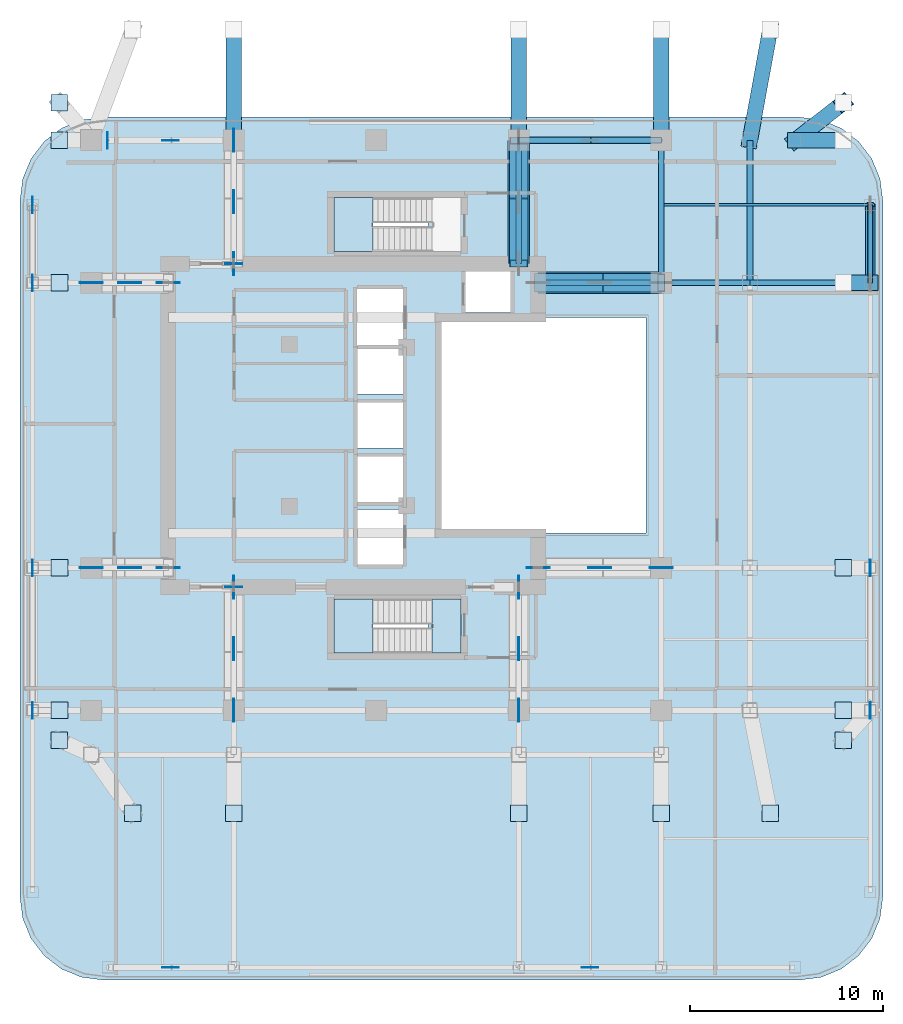
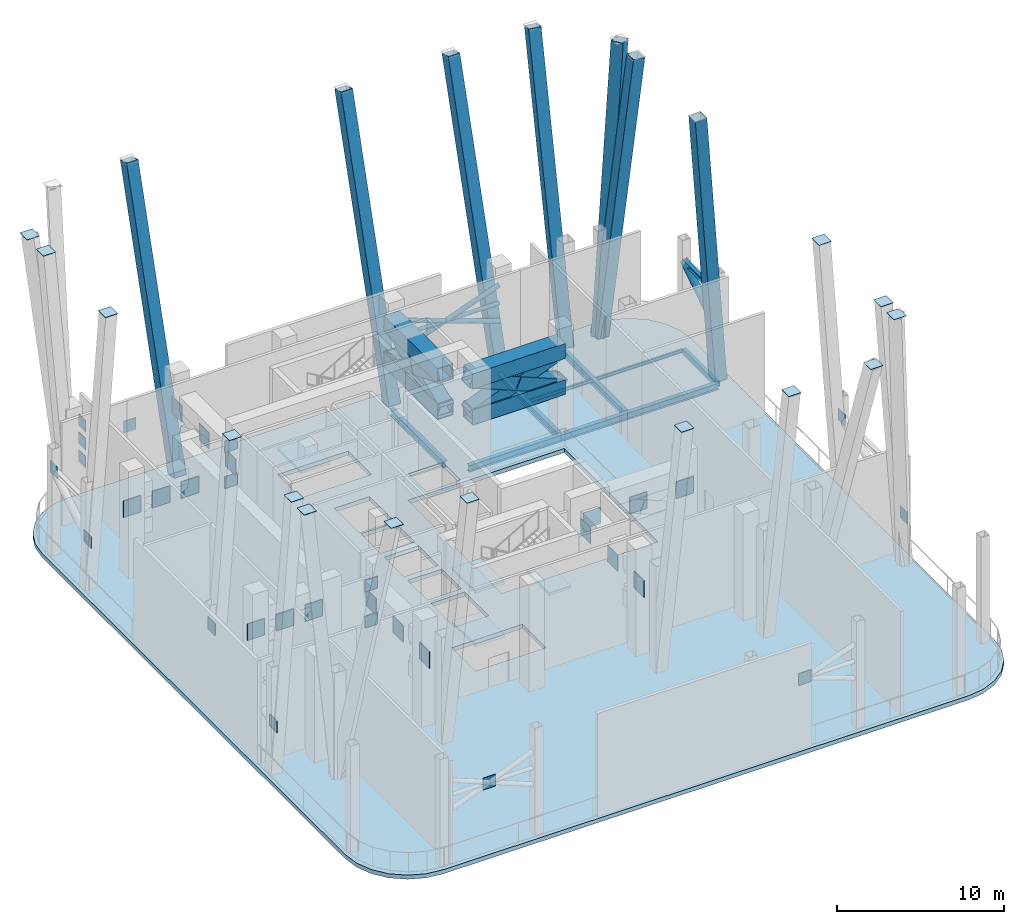
# One storey, part 3 of 9: 48 plates, 23 members, 8 beams, 5 slabs, 2 elements without a shape of their own.
"""IFC4 building model written with IfcOpenShell, lengths in metres."""

from ifc_helpers import new_model, si_unit, direction, frame, origin, origin_2d, place, context, subcontext, project, spatial, polyline, rectangle, hollow_rectangle, hollow_circle, i_section, outline, extrude, material, layer, layer_set, material_profile, profile_set, type_object, element, aggregate, save


model = new_model("IFC4")

# Units and contexts
model_context = context("Model", 3, precision=1e-05, world=origin(), true_north=direction((0.0, 1.0)))
body_context = subcontext(model_context, "Body", "Model", "MODEL_VIEW")
ifc_project = project(units=[si_unit("LENGTHUNIT", "METRE"), si_unit("AREAUNIT", "SQUARE_METRE"), si_unit("VOLUMEUNIT", "CUBIC_METRE"), si_unit("PLANEANGLEUNIT", "RADIAN"), si_unit("MASSUNIT", "GRAM", prefix="KILO")], contexts=[model_context])

# Site, building, storey
site_placement = place(None, origin())
site = spatial("IfcSite", under=ifc_project, at=site_placement, CompositionType="ELEMENT")
building_placement = place(site_placement, origin())
building = spatial("IfcBuilding", under=site, at=building_placement, Name="Khorvyn Point Tower", CompositionType="ELEMENT")
storey_placement = place(building_placement, frame((0.0, 0.0, 235.199951171875)))
storey = spatial("IfcBuildingStorey", under=building, at=storey_placement, Name="L58", CompositionType="ELEMENT", Elevation=235.199951171875)

# Beams
ifc_material_1 = material(Name="Steel S355", Category="steel")
ifc_material_profile_1 = material_profile(ifc_material_1, i_section(OverallWidth=0.125, OverallDepth=0.25, WebThickness=0.006103515625, FlangeThickness=0.009033203125, at=origin_2d()))
ifc_profile_set_1 = profile_set([ifc_material_profile_1], Name="Steel S355 H250x125x6x9")
beam_type_1 = type_object("IfcBeamType", Name="Steel S355 Joist H250x125x6x9", PredefinedType="JOIST", material=ifc_profile_set_1)
beam_1_placement = place(storey_placement, frame((14.949951171875, 11.449951171875, -0.425048828125), z_axis=(1.0, 0.0, 0.0), x_axis=(0.0, 1.0, 0.0)))
element("IfcBeam", 1, at=beam_1_placement, inside=storey, type_object=beam_type_1, Name="Beam", PredefinedType="JOIST", context=body_context, shape_type="SweptSolid", body=[
    extrude(i_section(OverallWidth=0.125, OverallDepth=0.25, WebThickness=0.006103515625, FlangeThickness=0.009033203125, at=origin_2d()), origin(), (0.0, 0.0, 1.0), 10.574951171875),
])
ifc_material_profile_2 = material_profile(ifc_material_1, i_section(OverallWidth=0.300048828125, OverallDepth=0.488037109375, WebThickness=0.010986328125, FlangeThickness=0.01806640625, at=origin_2d()))
ifc_profile_set_2 = profile_set([ifc_material_profile_2], Name="Steel S355 H488x300x11x18")
beam_type_2 = type_object("IfcBeamType", Name="Steel S355 Spandrel H488x300x11x18", PredefinedType="SPANDREL", material=ifc_profile_set_2)
beam_2_placement = place(storey_placement, frame((8.39990234375, 7.39990234375, -0.5439453125), z_axis=(1.0, 0.0, 0.0), x_axis=(0.0, 1.0, 0.0)))
element("IfcBeam", 2, at=beam_2_placement, inside=storey, type_object=beam_type_2, Name="Beam", PredefinedType="SPANDREL", context=body_context, shape_type="SweptSolid", body=[
    extrude(i_section(OverallWidth=0.300048828125, OverallDepth=0.488037109375, WebThickness=0.010986328125, FlangeThickness=0.01806640625, at=origin_2d()), origin(), (0.0, 0.0, 1.0), 6.400146484375),
])
beam_3_placement = place(storey_placement, frame((14.800048828125, 7.39990234375, -0.5439453125), z_axis=(1.0, 0.0, 0.0), x_axis=(0.0, 1.0, 0.0)))
element("IfcBeam", 3, at=beam_3_placement, inside=storey, type_object=beam_type_2, Name="Beam", PredefinedType="SPANDREL", context=body_context, shape_type="SweptSolid", body=[
    extrude(i_section(OverallWidth=0.300048828125, OverallDepth=0.488037109375, WebThickness=0.010986328125, FlangeThickness=0.01806640625, at=origin_2d()), origin(), (0.0, 0.0, 1.0), 4.599853515625),
])
beam_4_placement = place(storey_placement, frame((19.39990234375, 7.39990234375, -0.5439453125), z_axis=(1.0, 0.0, 0.0), x_axis=(0.0, 1.0, 0.0)))
element("IfcBeam", 4, at=beam_4_placement, inside=storey, type_object=beam_type_2, Name="Beam", PredefinedType="SPANDREL", context=body_context, shape_type="SweptSolid", body=[
    extrude(i_section(OverallWidth=0.300048828125, OverallDepth=0.488037109375, WebThickness=0.010986328125, FlangeThickness=0.01806640625, at=origin_2d()), origin(), (0.0, 0.0, 1.0), 6.25),
])
beam_5_placement = place(storey_placement, frame((14.800048828125, 7.39990234375, -0.5439453125), z_axis=(0.0, 1.0, 0.0), x_axis=(-1.0, 0.0, 0.0)))
element("IfcBeam", 5, at=beam_5_placement, inside=storey, type_object=beam_type_2, Name="Beam", PredefinedType="SPANDREL", context=body_context, shape_type="SweptSolid", body=[
    extrude(i_section(OverallWidth=0.300048828125, OverallDepth=0.488037109375, WebThickness=0.010986328125, FlangeThickness=0.01806640625, at=origin_2d()), origin(), (0.0, 0.0, 1.0), 7.400146484375),
])
beam_6_placement = place(storey_placement, frame((7.39990234375, 8.39990234375, -0.5439453125), z_axis=(0.0, 1.0, 0.0), x_axis=(-1.0, 0.0, 0.0)))
element("IfcBeam", 6, at=beam_6_placement, inside=storey, type_object=beam_type_2, Name="Beam", PredefinedType="SPANDREL", context=body_context, shape_type="SweptSolid", body=[
    extrude(i_section(OverallWidth=0.300048828125, OverallDepth=0.488037109375, WebThickness=0.010986328125, FlangeThickness=0.01806640625, at=origin_2d()), origin(), (0.0, 0.0, 1.0), 6.400146484375),
])
beam_7_placement = place(storey_placement, frame((19.39990234375, 7.39990234375, -0.5439453125), z_axis=(0.0, 1.0, 0.0), x_axis=(-1.0, 0.0, 0.0)))
element("IfcBeam", 7, at=beam_7_placement, inside=storey, type_object=beam_type_2, Name="Beam", PredefinedType="SPANDREL", context=body_context, shape_type="SweptSolid", body=[
    extrude(i_section(OverallWidth=0.300048828125, OverallDepth=0.488037109375, WebThickness=0.010986328125, FlangeThickness=0.01806640625, at=origin_2d()), origin(), (0.0, 0.0, 1.0), 7.400146484375),
])
ifc_material_profile_3 = material_profile(ifc_material_1, hollow_rectangle(XDim=0.25, YDim=0.39990234375, WallThickness=0.01611328125, at=origin_2d()))
ifc_profile_set_3 = profile_set([ifc_material_profile_3], Name="Steel S355 RHS400x250x16")
beam_type_3 = type_object("IfcBeamType", Name="Steel S355 Spandrel RHS400x250x16", PredefinedType="SPANDREL", material=ifc_profile_set_3)
beam_8_placement = place(storey_placement, frame((25.64990234375, 7.39990234375, -0.5), z_axis=(0.0, 1.0, 0.0), x_axis=(-1.0, 0.0, 0.0)))
element("IfcBeam", 8, at=beam_8_placement, inside=storey, type_object=beam_type_3, Name="Beam", PredefinedType="SPANDREL", context=body_context, shape_type="SweptSolid", body=[
    extrude(hollow_rectangle(XDim=0.25, YDim=0.39990234375, WallThickness=0.01611328125, at=origin_2d()), origin(), (0.0, 0.0, 1.0), 4.050048828125),
])

# Members
ifc_material_profile_4 = material_profile(ifc_material_1, hollow_circle(Radius=0.161865234375, WallThickness=0.012451171875, at=origin_2d()))
ifc_profile_set_4 = profile_set([ifc_material_profile_4], Name="Steel S355 CHS323.9x12.5")
member_type_1 = type_object("IfcMemberType", Name="Steel S355 Truss Brace CHS323.9x12.5", PredefinedType="BRACE", material=ifc_profile_set_4)
member_1_placement = place(storey_placement, frame((7.39990234375, 14.800048828125, 3.449951171875), z_axis=(0.942256331258, 0.0, 0.334892529334), x_axis=(0.0, 1.0, 0.0)))
element("IfcMember", 9, at=member_1_placement, inside=storey, type_object=member_type_1, Name="BT-BR1-L58-N2", PredefinedType="BRACE", context=body_context, shape_type="SweptSolid", body=[
    extrude(hollow_circle(Radius=0.161865234375, WallThickness=0.012451171875, at=origin_2d()), origin(), (0.0, 0.0, 1.0), 7.853759765625),
])
member_2_placement = place(storey_placement, frame((7.39990234375, 14.800048828125, 6.080078125), z_axis=(0.94250336403, 0.0, -0.334196661851), x_axis=(0.0, 1.0, 0.0)))
element("IfcMember", 10, at=member_2_placement, inside=storey, type_object=member_type_1, Name="BT-BR2A-L58-N2", PredefinedType="BRACE", context=body_context, shape_type="SweptSolid", body=[
    extrude(hollow_circle(Radius=0.161865234375, WallThickness=0.012451171875, at=origin_2d()), origin(), (0.0, 0.0, 1.0), 3.90478515625),
])
member_3_placement = place(storey_placement, frame((11.1201171875, 14.800048828125, 4.755126953125), z_axis=(0.942476682497, 0.0, -0.33427189973), x_axis=(0.0, 1.0, 0.0)))
element("IfcMember", 11, at=member_3_placement, inside=storey, type_object=member_type_1, Name="BT-BR2B-L58-N2", PredefinedType="BRACE", context=body_context, shape_type="SweptSolid", body=[
    extrude(hollow_circle(Radius=0.161865234375, WallThickness=0.012451171875, at=origin_2d()), origin(), (0.0, 0.0, 1.0), 3.904541015625),
])
ifc_material_profile_5 = material_profile(ifc_material_1, hollow_circle(Radius=0.136474609375, WallThickness=0.010009765625, at=origin_2d()))
ifc_profile_set_5 = profile_set([ifc_material_profile_5], Name="Steel S355 CHS273x10")
member_type_2 = type_object("IfcMemberType", Name="Steel S355 Truss Chord CHS273x10", PredefinedType="CHORD", material=ifc_profile_set_5)
member_4_placement = place(storey_placement, frame((7.39990234375, 14.800048828125, 4.76513671875), z_axis=(1.0, 0.0, 0.0), x_axis=(0.0, 1.0, 0.0)))
element("IfcMember", 12, at=member_4_placement, inside=storey, type_object=member_type_2, Name="L58 Belt Truss Chord", PredefinedType="CHORD", context=body_context, shape_type="SweptSolid", body=[
    extrude(hollow_circle(Radius=0.136474609375, WallThickness=0.010009765625, at=origin_2d()), origin(), (0.0, 0.0, 1.0), 7.400146484375),
])
ifc_material_profile_6 = material_profile(ifc_material_1, i_section(OverallWidth=0.300048828125, OverallDepth=0.300048828125, WebThickness=0.010009765625, FlangeThickness=0.014892578125, at=origin_2d()))
ifc_profile_set_6 = profile_set([ifc_material_profile_6], Name="Steel S355 H300x300x10x15")
member_type_3 = type_object("IfcMemberType", Name="Steel S355 Truss Chord H300x300x10x15", PredefinedType="CHORD", material=ifc_profile_set_6)
member_5_placement = place(storey_placement, frame((25.64990234375, 7.39990234375, 6.080078125), z_axis=(0.0, 1.0, 0.0), x_axis=(-1.0, 0.0, 0.0)))
element("IfcMember", 13, at=member_5_placement, inside=storey, type_object=member_type_3, Name="EXO-CH1-L58-E2", PredefinedType="CHORD", context=body_context, shape_type="SweptSolid", body=[
    extrude(i_section(OverallWidth=0.300048828125, OverallDepth=0.300048828125, WebThickness=0.010009765625, FlangeThickness=0.014892578125, at=origin_2d()), origin(), (0.0, 0.0, 1.0), 4.050048828125),
])
ifc_material_2 = material(Name="Steel S450", Category="steel")
ifc_material_profile_7 = material_profile(ifc_material_2, hollow_rectangle(XDim=0.800048828125, YDim=0.800048828125, WallThickness=0.035888671875, at=origin_2d()))
ifc_profile_set_7 = profile_set([ifc_material_profile_7], Name="Steel S450 BOX800x800x36")
member_type_4 = type_object("IfcMemberType", Name="Steel S450 Exoskeleton Structural Post BOX800x800x36", PredefinedType="POST", material=ifc_profile_set_7)
member_6_placement = place(storey_placement, frame((19.39990234375, 14.800048828125, 0.0), z_axis=(0.051581231605, 0.282455514241, 0.957892613512), x_axis=(-0.983731278693, 0.179646239371, 0.0)))
element("IfcMember", 14, at=member_6_placement, inside=storey, type_object=member_type_4, Name="L58 to L62 Exoskeleton Transfer Post 04", PredefinedType="POST", context=body_context, shape_type="SweptSolid", body=[
    extrude(hollow_rectangle(XDim=0.800048828125, YDim=0.800048828125, WallThickness=0.035888671875, at=origin_2d()), origin(), (0.0, 0.0, 1.0), 20.357177734375),
])
member_7_placement = place(storey_placement, frame((21.75, 14.800048828125, 0.0), z_axis=(0.12654338516, 0.098701368874, 0.987038404245), x_axis=(-0.615022223554, 0.788509774533, 0.0)))
element("IfcMember", 15, at=member_7_placement, inside=storey, type_object=member_type_4, Name="L58 to L62 Exoskeleton Transfer Post 08", PredefinedType="POST", context=body_context, shape_type="SweptSolid", body=[
    extrude(hollow_rectangle(XDim=0.800048828125, YDim=0.800048828125, WallThickness=0.035888671875, at=origin_2d()), origin(), (0.0, 0.0, 1.0), 19.756103515625),
])
for number, where, z_axis, x_axis, name in (
    (16, (-7.39990234375, 14.800048828125, 0.0), (0.0, 0.282832019595, 0.959169457756), (-1.0, 0.0, 0.0), "L58 to L62 Exoskeleton Transfer Post 10"),
    (17, (7.39990234375, 14.800048828125, 0.0), (0.0, 0.282832019595, 0.959169457756), (-1.0, 0.0, 0.0), "L58 to L62 Exoskeleton Transfer Post 12"),
    (18, (14.800048828125, 14.800048828125, 0.0), (0.0, 0.282832019595, 0.959169457756), (-1.0, 0.0, 0.0), "L58 to L62 Exoskeleton Transfer Post 14"),
):
    element("IfcMember", number, at=place(storey_placement, frame(where, z_axis=z_axis, x_axis=x_axis)), inside=storey, type_object=member_type_4, Name=name, PredefinedType="POST", context=body_context, shape_type="SweptSolid", body=[
        extrude(hollow_rectangle(XDim=0.800048828125, YDim=0.800048828125, WallThickness=0.035888671875, at=origin_2d()), origin(), (0.0, 0.0, 1.0), 20.330078125),
    ])
member_8_placement = place(storey_placement, frame((25.64990234375, 7.39990234375, 0.0), z_axis=(-0.071605581047, 0.0, 0.997433025703), x_axis=(0.0, -1.0, 0.0)))
element("IfcMember", 19, at=member_8_placement, inside=storey, type_object=member_type_4, Name="L58 to L62 Exoskeleton Transfer Post 20", PredefinedType="POST", context=body_context, shape_type="SweptSolid", body=[
    extrude(hollow_rectangle(XDim=0.800048828125, YDim=0.800048828125, WallThickness=0.035888671875, at=origin_2d()), origin(), (0.0, 0.0, 1.0), 19.55029296875),
])
member_9_placement = place(storey_placement, frame((21.75, 14.800048828125, 0.0), z_axis=(0.127164315985, 0.0, 0.991881664686), x_axis=(0.0, 1.0, 0.0)))
element("IfcMember", 20, at=member_9_placement, inside=storey, type_object=member_type_4, Name="L58 to L62 Exoskeleton Transfer Post 22", PredefinedType="POST", context=body_context, shape_type="SweptSolid", body=[
    extrude(hollow_rectangle(XDim=0.800048828125, YDim=0.800048828125, WallThickness=0.035888671875, at=origin_2d()), origin(), (0.0, 0.0, 1.0), 19.65966796875),
])
ifc_material_profile_8 = material_profile(ifc_material_2, hollow_rectangle(XDim=0.949951171875, YDim=0.949951171875, WallThickness=0.0400390625, at=origin_2d()))
ifc_profile_set_8 = profile_set([ifc_material_profile_8], Name="Steel S450 BOX950x950x40")
member_type_5 = type_object("IfcMemberType", Name="Steel S450 Truss Brace BOX950x950x40", PredefinedType="BRACE", material=ifc_profile_set_8)
member_10_placement = place(storey_placement, frame((8.39990234375, 7.39990234375, 3.449951171875), z_axis=(0.924943852395, 0.0, 0.380103762039), x_axis=(0.0, 1.0, 0.0)))
element("IfcMember", 21, at=member_10_placement, inside=storey, type_object=member_type_5, Name="OT-BR1-L58-EN", PredefinedType="BRACE", context=body_context, shape_type="SweptSolid", body=[
    extrude(hollow_rectangle(XDim=0.949951171875, YDim=0.949951171875, WallThickness=0.0400390625, at=origin_2d()), origin(), (0.0, 0.0, 1.0), 6.91943359375),
])
for number, where, z_axis, x_axis, name in (
    (22, (8.39990234375, 7.39990234375, 6.080078125), (0.924953299929, 0.0, -0.380080771613), (0.0, 1.0, 0.0), "OT-BR2A-L58-EN"),
    (23, (11.625, 7.39990234375, 4.754638671875), (0.924953299929, 0.0, -0.380080771613), (0.0, 1.0, 0.0), "OT-BR2B-L58-EN"),
):
    element("IfcMember", number, at=place(storey_placement, frame(where, z_axis=z_axis, x_axis=x_axis)), inside=storey, type_object=member_type_5, Name=name, PredefinedType="BRACE", context=body_context, shape_type="SweptSolid", body=[
        extrude(hollow_rectangle(XDim=0.949951171875, YDim=0.949951171875, WallThickness=0.0400390625, at=origin_2d()), origin(), (0.0, 0.0, 1.0), 3.4326171875),
    ])
member_11_placement = place(storey_placement, frame((7.39990234375, 8.39990234375, 3.449951171875), z_axis=(0.0, 0.924943852395, 0.380103762039), x_axis=(-1.0, 0.0, 0.0)))
element("IfcMember", 24, at=member_11_placement, inside=storey, type_object=member_type_5, Name="OT-BR1-L58-NE", PredefinedType="BRACE", context=body_context, shape_type="SweptSolid", body=[
    extrude(hollow_rectangle(XDim=0.949951171875, YDim=0.949951171875, WallThickness=0.0400390625, at=origin_2d()), origin(), (0.0, 0.0, 1.0), 6.91943359375),
])
for number, where, z_axis, x_axis, name in (
    (25, (7.39990234375, 8.39990234375, 6.080078125), (0.0, 0.924953299929, -0.380080771613), (-1.0, 0.0, 0.0), "OT-BR2A-L58-NE"),
    (26, (7.39990234375, 11.625, 4.754638671875), (0.0, 0.924953299929, -0.380080771613), (-1.0, 0.0, 0.0), "OT-BR2B-L58-NE"),
):
    element("IfcMember", number, at=place(storey_placement, frame(where, z_axis=z_axis, x_axis=x_axis)), inside=storey, type_object=member_type_5, Name=name, PredefinedType="BRACE", context=body_context, shape_type="SweptSolid", body=[
        extrude(hollow_rectangle(XDim=0.949951171875, YDim=0.949951171875, WallThickness=0.0400390625, at=origin_2d()), origin(), (0.0, 0.0, 1.0), 3.4326171875),
    ])
ifc_material_profile_9 = material_profile(ifc_material_2, hollow_circle(Radius=0.25390625, WallThickness=0.02001953125, at=origin_2d()))
ifc_profile_set_9 = profile_set([ifc_material_profile_9], Name="Steel S450 CHS508x20")
member_type_6 = type_object("IfcMemberType", Name="Steel S450 Truss Brace CHS508x20", PredefinedType="BRACE", material=ifc_profile_set_9)
member_12_placement = place(storey_placement, frame((25.64990234375, 7.39990234375, 3.449951171875), z_axis=(0.0, 0.838671088995, 0.544638232669), x_axis=(-1.0, 0.0, 0.0)))
element("IfcMember", 27, at=member_12_placement, inside=storey, type_object=member_type_6, Name="EXO-BR1-L58-E2", PredefinedType="BRACE", context=body_context, shape_type="SweptSolid", body=[
    extrude(hollow_circle(Radius=0.25390625, WallThickness=0.02001953125, at=origin_2d()), origin(), (0.0, 0.0, 1.0), 4.8291015625),
])
ifc_material_profile_10 = material_profile(ifc_material_2, hollow_rectangle(XDim=1.10009765625, YDim=1.10009765625, WallThickness=0.044921875, at=origin_2d()))
ifc_profile_set_10 = profile_set([ifc_material_profile_10], Name="Steel S450 BOX1100x1100x45")
member_type_7 = type_object("IfcMemberType", Name="Steel S450 Truss Chord BOX1100x1100x45", PredefinedType="CHORD", material=ifc_profile_set_10)
for number, where, z_axis, x_axis, name in (
    (28, (8.39990234375, 7.39990234375, 3.449951171875), (1.0, 0.0, 0.0), (0.0, 1.0, 0.0), "L58 Outrigger Truss Chord"),
    (29, (8.39990234375, 7.39990234375, 6.080078125), (1.0, 0.0, 0.0), (0.0, 1.0, 0.0), "L58 Outrigger Truss Chord"),
    (30, (7.39990234375, 8.39990234375, 3.449951171875), (0.0, 1.0, 0.0), (-1.0, 0.0, 0.0), "L58 Outrigger Truss Chord"),
    (31, (7.39990234375, 8.39990234375, 6.080078125), (0.0, 1.0, 0.0), (-1.0, 0.0, 0.0), "L58 Outrigger Truss Chord"),
):
    element("IfcMember", number, at=place(storey_placement, frame(where, z_axis=z_axis, x_axis=x_axis)), inside=storey, type_object=member_type_7, Name=name, PredefinedType="CHORD", context=body_context, shape_type="SweptSolid", body=[
        extrude(hollow_rectangle(XDim=1.10009765625, YDim=1.10009765625, WallThickness=0.044921875, at=origin_2d()), origin(), (0.0, 0.0, 1.0), 6.400146484375),
    ])

# Stair, slabs
ifc_material_3 = material(Name="Concrete C40/50", Category="concrete")
stair_type = type_object("IfcStairType", Name="Tower Concrete C40/50 Dogleg Exit Stair", PredefinedType="HALF_TURN_STAIR", material=ifc_material_3)
stair_1_placement = place(storey_placement, origin())
stair_1 = element("IfcStair", 32, at=stair_1_placement, inside=storey, type_object=stair_type, Name="L58 Tower Smokeproof Exit Stair South", PredefinedType="HALF_TURN_STAIR")
ifc_layer_1 = layer(ifc_material_3, 0.199951171875)
ifc_layer_set_1 = layer_set([ifc_layer_1], Name="Concrete C40/50 Stair Landing Slab 200")
slab_type_1 = type_object("IfcSlabType", Name="Concrete C40/50 Stair Landing Slab 200", PredefinedType="LANDING", material=ifc_layer_set_1)
slab_1_placement = place(storey_placement, frame((0.0, 0.0, 1.75)))
slab_1 = element("IfcSlab", 33, at=slab_1_placement, type_object=slab_type_1, Name="ST-01 landing 1", PredefinedType="LANDING", context=body_context, shape_type="SweptSolid", body=[
    extrude(outline(polyline([(-0.179931640625, -9.02001953125), (-2.199951171875, -9.02001953125), (-2.199951171875, -11.820068359375), (-0.179931640625, -11.820068359375), (-0.179931640625, -9.02001953125)])), origin(), (0.0, 0.0, 1.0), 0.199951171875),
])
slab_2_placement = place(storey_placement, frame((0.0, 0.0, 3.699951171875)))
slab_2 = element("IfcSlab", 34, at=slab_2_placement, type_object=slab_type_1, Name="ST-01 landing 2", PredefinedType="LANDING", context=body_context, shape_type="SweptSolid", body=[
    extrude(outline(polyline([(4.39990234375, -9.02001953125), (2.89990234375, -9.02001953125), (2.89990234375, -11.820068359375), (4.39990234375, -11.820068359375), (4.39990234375, -9.02001953125)])), origin(), (0.0, 0.0, 1.0), 0.2001953125),
])
slab_3_placement = place(storey_placement, frame((0.0, 0.0, 5.650146484375)))
slab_3 = element("IfcSlab", 35, at=slab_3_placement, type_object=slab_type_1, Name="ST-01 landing 3", PredefinedType="LANDING", context=body_context, shape_type="SweptSolid", body=[
    extrude(outline(polyline([(-0.179931640625, -9.02001953125), (-2.199951171875, -9.02001953125), (-2.199951171875, -11.820068359375), (-0.179931640625, -11.820068359375), (-0.179931640625, -9.02001953125)])), origin(), (0.0, 0.0, 1.0), 0.199951171875),
])
aggregate(stair_1, [slab_1, slab_2, slab_3])

# Stair, slab
stair_2_placement = place(storey_placement, origin())
stair_2 = element("IfcStair", 36, at=stair_2_placement, inside=storey, type_object=stair_type, Name="L58 Tower Smokeproof Exit Stair North", PredefinedType="HALF_TURN_STAIR")
slab_4_placement = place(storey_placement, frame((0.0, 0.0, 1.75)))
slab_4 = element("IfcSlab", 37, at=slab_4_placement, type_object=slab_type_1, Name="ST-02 landing 1", PredefinedType="LANDING", context=body_context, shape_type="SweptSolid", body=[
    extrude(outline(polyline([(-0.179931640625, 11.820068359375), (-2.199951171875, 11.820068359375), (-2.199951171875, 9.02001953125), (-0.179931640625, 9.02001953125), (-0.179931640625, 11.820068359375)])), origin(), (0.0, 0.0, 1.0), 0.199951171875),
])
aggregate(stair_2, [slab_4])

# Slab
ifc_layer_2 = layer(ifc_material_3, 0.300048828125)
ifc_layer_set_2 = layer_set([ifc_layer_2], Name="Concrete C40/50 Structural Floor Slab 300")
slab_type_2 = type_object("IfcSlabType", Name="Concrete C40/50 Structural Floor Slab 300", PredefinedType="FLOOR", material=ifc_layer_set_2)
slab_5_placement = place(storey_placement, frame((0.0, 0.0, -0.300048828125)))
element("IfcSlab", 38, at=slab_5_placement, inside=storey, type_object=slab_type_2, Name="L58 Main Structural Floor Slab", PredefinedType="FLOOR", context=body_context, shape_type="SweptSolid", body=[
    extrude(outline(polyline([(-14.199951171875, -28.800048828125), (-15.31298828125, -28.653564453125), (-16.35009765625, -28.223876953125), (-17.240478515625, -27.54052734375), (-17.923828125, -26.64990234375), (-18.353515625, -25.61279296875), (-18.5, -24.5), (-18.5, 11.699951171875), (-18.353515625, 12.81298828125), (-17.923828125, 13.85009765625), (-17.240478515625, 14.740478515625), (-16.35009765625, 15.423828125), (-15.31298828125, 15.853515625), (-14.199951171875, 16.0), (22.0, 16.0), (23.11279296875, 15.853515625), (24.14990234375, 15.423828125), (25.04052734375, 14.740478515625), (25.723876953125, 13.85009765625), (26.153564453125, 12.81298828125), (26.300048828125, 11.699951171875), (26.300048828125, -24.5), (26.153564453125, -25.61279296875), (25.723876953125, -26.64990234375), (25.04052734375, -27.54052734375), (24.14990234375, -28.223876953125), (23.11279296875, -28.653564453125), (22.0, -28.800048828125), (-14.199951171875, -28.800048828125)]), holes=[polyline([(2.679931640625, -11.820068359375), (2.679931640625, -9.02001953125), (-2.199951171875, -9.02001953125), (-2.199951171875, -11.820068359375), (2.679931640625, -11.820068359375)]), polyline([(1.375, -7.22509765625), (1.375, -4.375), (-0.97509765625, -4.375), (-0.97509765625, -7.22509765625), (1.375, -7.22509765625)]), polyline([(1.375, -3.97509765625), (1.375, -1.625), (-0.97509765625, -1.625), (-0.97509765625, -3.97509765625), (1.375, -3.97509765625)]), polyline([(1.375, -1.175048828125), (1.375, 1.175048828125), (-0.97509765625, 1.175048828125), (-0.97509765625, -1.175048828125), (1.375, -1.175048828125)]), polyline([(14.0, -5.60009765625), (14.0, 5.60009765625), (3.199951171875, 5.60009765625), (3.199951171875, -5.60009765625), (14.0, -5.60009765625)]), polyline([(1.375, 1.625), (1.375, 3.97509765625), (-0.97509765625, 3.97509765625), (-0.97509765625, 1.625), (1.375, 1.625)]), polyline([(1.39990234375, 4.125), (1.39990234375, 7.074951171875), (-1.0, 7.074951171875), (-1.0, 4.125), (1.39990234375, 4.125)]), polyline([(4.625, 5.85009765625), (6.97509765625, 5.85009765625), (6.97509765625, 7.97998046875), (4.625, 7.97998046875), (4.625, 5.85009765625)]), polyline([(-2.199951171875, 9.02001953125), (2.679931640625, 9.02001953125), (2.679931640625, 11.820068359375), (-2.199951171875, 11.820068359375), (-2.199951171875, 9.02001953125)])]), origin(), (0.0, 0.0, 1.0), 0.300048828125),
])

# Plates
ifc_layer_3 = layer(ifc_material_2, 0.031982421875)
ifc_layer_set_3 = layer_set([ifc_layer_3], Name="Steel S450 Exoskeleton End Cap Plate 32")
plate_type_1 = type_object("IfcPlateType", Name="Steel S450 Exoskeleton End Cap Plate 32", PredefinedType="USERDEFINED", material=ifc_layer_set_3)
for number, where, z_axis, x_axis, name in (
    (39, (-10.675048828125, -28.14990234375, 4.3349609375), (0.0, 0.0, 1.0), (1.0, 0.0, 0.0), "NP-BT-L58-S1-M"),
    (40, (-10.675048828125, 14.800048828125, 4.3349609375), (0.0, 0.0, 1.0), (1.0, 0.0, 0.0), "NP-BT-L58-N1-M"),
    (41, (11.10009765625, -28.14990234375, 4.3349609375), (0.0, 0.0, 1.0), (1.0, 0.0, 0.0), "NP-BT-L58-S2-M"),
):
    element("IfcPlate", number, at=place(storey_placement, frame(where, z_axis=z_axis, x_axis=x_axis)), inside=storey, type_object=plate_type_1, Name=name, ObjectType="GUSSET", PredefinedType="USERDEFINED", context=body_context, shape_type="SweptSolid", body=[
        extrude(rectangle(XDim=0.860107421875, YDim=0.031982421875, at=origin_2d()), origin(), (0.0, 0.0, 1.0), 0.860107421875),
    ])
for number, where, z_axis, x_axis, name in (
    (42, (-17.85009765625, -7.39990234375, 5.64990234375), (0.0, 0.0, 1.0), (1.0, 0.0, 0.0), "NP-EXO-L58-W1"),
    (43, (-17.85009765625, -14.800048828125, 3.02001953125), (0.0, 0.0, 1.0), (1.0, 0.0, 0.0), "NP-EXO-BOT-L58-W1"),
    (44, (25.64990234375, -7.39990234375, 5.64990234375), (0.0, 0.0, 1.0), (1.0, 0.0, 0.0), "NP-EXO-L58-E1"),
    (45, (25.64990234375, -14.800048828125, 3.02001953125), (0.0, 0.0, 1.0), (1.0, 0.0, 0.0), "NP-EXO-BOT-L58-E1"),
    (46, (-17.85009765625, 11.449951171875, 5.64990234375), (0.0, 0.0, 1.0), (1.0, 0.0, 0.0), "NP-EXO-L58-W2"),
    (47, (-17.85009765625, 7.39990234375, 3.02001953125), (0.0, 0.0, 1.0), (1.0, 0.0, 0.0), "NP-EXO-BOT-L58-W2"),
):
    element("IfcPlate", number, at=place(storey_placement, frame(where, z_axis=z_axis, x_axis=x_axis)), inside=storey, type_object=plate_type_1, Name=name, ObjectType="GUSSET", PredefinedType="USERDEFINED", context=body_context, shape_type="SweptSolid", body=[
        extrude(rectangle(XDim=0.031982421875, YDim=0.860107421875, at=origin_2d()), origin(), (0.0, 0.0, 1.0), 0.860107421875),
    ])
for number, where, z_axis, x_axis, name in (
    (48, (-12.64892578125, -20.151611328125, 19.49365234375), (0.0, 0.0, 1.0), (1.0, 0.0, 0.0), "Plate"),
    (49, (20.450439453125, -20.152587890625, 19.49365234375), (0.0, 0.0, 1.0), (1.0, 0.0, 0.0), "Plate"),
    (50, (-16.45068359375, -16.349609375, 19.494140625), (0.0, 0.0, 1.0), (1.0, 0.0, 0.0), "Plate"),
    (51, (-16.45068359375, 16.7509765625, 19.494140625), (0.0, 0.0, 1.0), (1.0, 0.0, 0.0), "Plate"),
    (52, (24.249267578125, -16.350830078125, 19.494140625), (0.0, 0.0, 1.0), (1.0, 0.0, 0.0), "Plate"),
    (53, (-7.39990234375, -20.151611328125, 19.494140625), (0.0, 0.0, 1.0), (1.0, 0.0, 0.0), "Plate"),
    (54, (7.39990234375, -20.151611328125, 19.494140625), (0.0, 0.0, 1.0), (1.0, 0.0, 0.0), "Plate"),
    (55, (14.800048828125, -20.151611328125, 19.494140625), (0.0, 0.0, 1.0), (1.0, 0.0, 0.0), "Plate"),
    (56, (-16.44921875, -14.800048828125, 19.494140625), (0.0, 0.0, 1.0), (1.0, 0.0, 0.0), "Plate"),
    (57, (24.249267578125, -14.800048828125, 19.494140625), (0.0, 0.0, 1.0), (1.0, 0.0, 0.0), "Plate"),
    (58, (-16.44921875, -7.39990234375, 19.494140625), (0.0, 0.0, 1.0), (1.0, 0.0, 0.0), "Plate"),
    (59, (24.249267578125, -7.39990234375, 19.494140625), (0.0, 0.0, 1.0), (1.0, 0.0, 0.0), "Plate"),
    (60, (-16.44921875, 7.39990234375, 19.494140625), (0.0, 0.0, 1.0), (1.0, 0.0, 0.0), "Plate"),
    (61, (-16.45068359375, 14.800048828125, 19.494140625), (0.0, 0.0, 1.0), (1.0, 0.0, 0.0), "Plate"),
):
    element("IfcPlate", number, at=place(storey_placement, frame(where, z_axis=z_axis, x_axis=x_axis)), inside=storey, type_object=plate_type_1, Name=name, ObjectType="GUSSET", PredefinedType="USERDEFINED", context=body_context, shape_type="SweptSolid", body=[
        extrude(rectangle(XDim=0.860107421875, YDim=0.860107421875, at=origin_2d()), origin(), (0.0, 0.0, 1.0), 0.031982421875),
    ])
for number, where, z_axis, x_axis, name in (
    (62, (-7.39990234375, -8.389892578125, 3.02001953125), (0.0, 0.0, 1.0), (1.0, 0.0, 0.0), "Plate"),
    (63, (-7.39990234375, -8.389892578125, 5.64990234375), (0.0, 0.0, 1.0), (1.0, 0.0, 0.0), "Plate"),
    (64, (-7.39990234375, 8.389892578125, 3.02001953125), (0.0, 0.0, 1.0), (1.0, 0.0, 0.0), "Plate"),
    (65, (-7.39990234375, 8.389892578125, 5.64990234375), (0.0, 0.0, 1.0), (1.0, 0.0, 0.0), "Plate"),
):
    element("IfcPlate", number, at=place(storey_placement, frame(where, z_axis=z_axis, x_axis=x_axis)), inside=storey, type_object=plate_type_1, Name=name, ObjectType="GUSSET", PredefinedType="USERDEFINED", context=body_context, shape_type="SweptSolid", body=[
        extrude(rectangle(XDim=0.860107421875, YDim=0.031982421875, at=origin_2d()), origin(), (0.0, 0.0, 1.0), 0.860107421875),
    ])
for number, where, z_axis, x_axis, name in (
    (66, (-13.959228515625, 14.800048828125, 3.01611328125), (0.0, 0.0, 1.0), (1.0, 0.0, 0.0), "Plate"),
    (67, (-13.959228515625, 14.800048828125, 5.65380859375), (0.0, 0.0, 1.0), (1.0, 0.0, 0.0), "Plate"),
    (68, (-13.9599609375, 14.800048828125, 4.3349609375), (0.0, 0.0, 1.0), (1.0, 0.0, 0.0), "Plate"),
):
    element("IfcPlate", number, at=place(storey_placement, frame(where, z_axis=z_axis, x_axis=x_axis)), inside=storey, type_object=plate_type_1, Name=name, ObjectType="GUSSET", PredefinedType="USERDEFINED", context=body_context, shape_type="SweptSolid", body=[
        extrude(rectangle(XDim=0.031982421875, YDim=0.860107421875, at=origin_2d()), origin(), (0.0, 0.0, 1.0), 0.860107421875),
    ])
ifc_layer_4 = layer(ifc_material_2, 0.0400390625)
ifc_layer_set_4 = layer_set([ifc_layer_4], Name="Steel S450 Outrigger Gusset Node Plate 40")
plate_type_2 = type_object("IfcPlateType", Name="Steel S450 Outrigger Gusset Node Plate 40", PredefinedType="USERDEFINED", material=ifc_layer_set_4)
for number, where, z_axis, x_axis, name in (
    (69, (-14.800048828125, -7.39990234375, 4.1650390625), (0.0, 0.0, 1.0), (1.0, 0.0, 0.0), "NP-OT-L58-WS"),
    (70, (-10.800048828125, -7.39990234375, 4.1650390625), (0.0, 0.0, 1.0), (1.0, 0.0, 0.0), "NP-OT-IN-L58-WS"),
    (71, (-12.800048828125, -7.39990234375, 4.1650390625), (0.0, 0.0, 1.0), (1.0, 0.0, 0.0), "NP-OT-MID-L58-WS"),
    (72, (-14.800048828125, 7.39990234375, 4.1650390625), (0.0, 0.0, 1.0), (1.0, 0.0, 0.0), "NP-OT-L58-WN"),
    (73, (-10.800048828125, 7.39990234375, 4.1650390625), (0.0, 0.0, 1.0), (1.0, 0.0, 0.0), "NP-OT-IN-L58-WN"),
    (74, (-12.800048828125, 7.39990234375, 4.1650390625), (0.0, 0.0, 1.0), (1.0, 0.0, 0.0), "NP-OT-MID-L58-WN"),
    (75, (14.800048828125, -7.39990234375, 4.1650390625), (0.0, 0.0, 1.0), (1.0, 0.0, 0.0), "NP-OT-L58-ES"),
    (76, (8.39990234375, -7.39990234375, 4.1650390625), (0.0, 0.0, 1.0), (1.0, 0.0, 0.0), "NP-OT-IN-L58-ES"),
    (77, (11.60009765625, -7.39990234375, 4.1650390625), (0.0, 0.0, 1.0), (1.0, 0.0, 0.0), "NP-OT-MID-L58-ES"),
):
    element("IfcPlate", number, at=place(storey_placement, frame(where, z_axis=z_axis, x_axis=x_axis)), inside=storey, type_object=plate_type_2, Name=name, ObjectType="GUSSET", PredefinedType="USERDEFINED", context=body_context, shape_type="SweptSolid", body=[
        extrude(rectangle(XDim=1.199951171875, YDim=0.0400390625, at=origin_2d()), origin(), (0.0, 0.0, 1.0), 1.199951171875),
    ])
for number, where, z_axis, x_axis, name in (
    (78, (-7.39990234375, -14.800048828125, 4.1650390625), (0.0, 0.0, 1.0), (1.0, 0.0, 0.0), "NP-OT-L58-SW"),
    (79, (-7.39990234375, -8.39990234375, 4.1650390625), (0.0, 0.0, 1.0), (1.0, 0.0, 0.0), "NP-OT-IN-L58-SW"),
    (80, (-7.39990234375, -11.60009765625, 4.1650390625), (0.0, 0.0, 1.0), (1.0, 0.0, 0.0), "NP-OT-MID-L58-SW"),
    (81, (7.39990234375, -14.800048828125, 4.1650390625), (0.0, 0.0, 1.0), (1.0, 0.0, 0.0), "NP-OT-L58-SE"),
    (82, (7.39990234375, -8.39990234375, 4.1650390625), (0.0, 0.0, 1.0), (1.0, 0.0, 0.0), "NP-OT-IN-L58-SE"),
    (83, (7.39990234375, -11.60009765625, 4.1650390625), (0.0, 0.0, 1.0), (1.0, 0.0, 0.0), "NP-OT-MID-L58-SE"),
    (84, (-7.39990234375, 14.800048828125, 4.1650390625), (0.0, 0.0, 1.0), (1.0, 0.0, 0.0), "NP-OT-L58-NW"),
    (85, (-7.39990234375, 8.39990234375, 4.1650390625), (0.0, 0.0, 1.0), (1.0, 0.0, 0.0), "NP-OT-IN-L58-NW"),
    (86, (-7.39990234375, 11.60009765625, 4.1650390625), (0.0, 0.0, 1.0), (1.0, 0.0, 0.0), "NP-OT-MID-L58-NW"),
):
    element("IfcPlate", number, at=place(storey_placement, frame(where, z_axis=z_axis, x_axis=x_axis)), inside=storey, type_object=plate_type_2, Name=name, ObjectType="GUSSET", PredefinedType="USERDEFINED", context=body_context, shape_type="SweptSolid", body=[
        extrude(rectangle(XDim=0.0400390625, YDim=1.199951171875, at=origin_2d()), origin(), (0.0, 0.0, 1.0), 1.199951171875),
    ])

save(model, "model.ifc")
